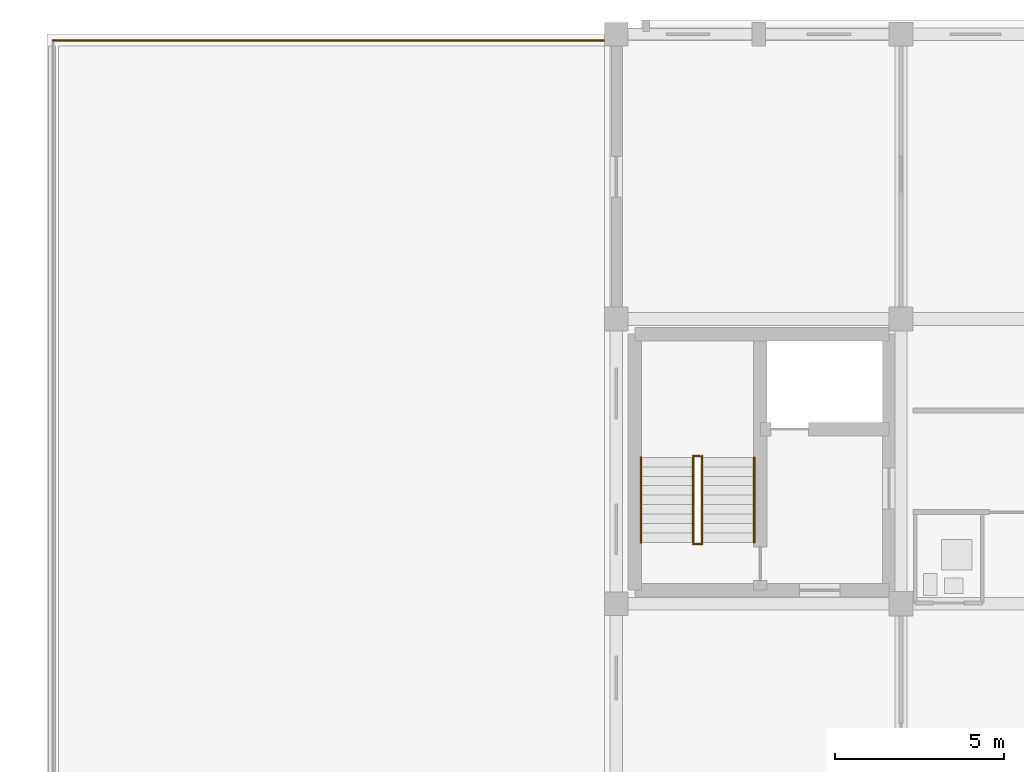
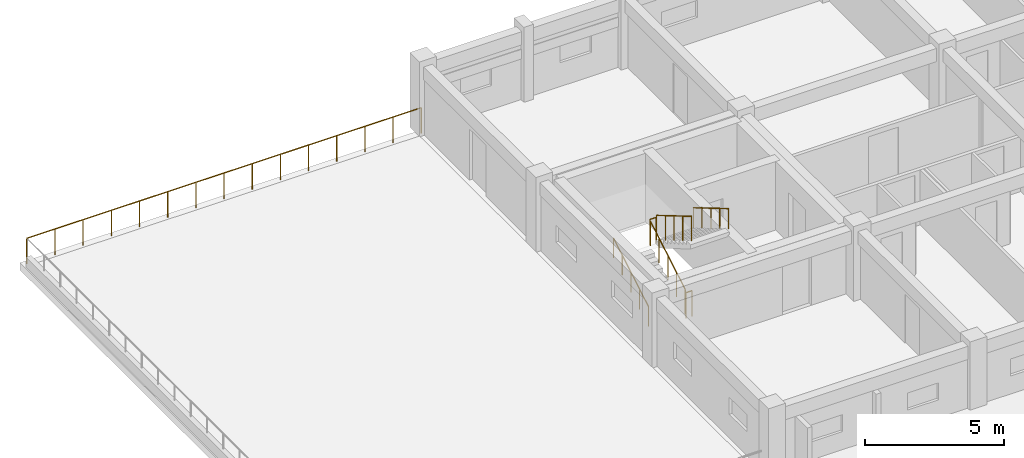
# One storey, part 143 of 148: 7 railings.
"""IFC4 building model written with IfcOpenShell, lengths in metres."""

from ifc_helpers import new_model, si_unit, direction, frame, origin, origin_2d, place, context, subcontext, project, spatial, circle, extrude, material, type_object, element, save


model = new_model("IFC4")

# Units and contexts
model_context = context("Model", 3, precision=1e-05, world=origin(), true_north=direction((0.0, 1.0)))
body_context = subcontext(model_context, "Body", "Model", "MODEL_VIEW")
ifc_project = project(units=[si_unit("LENGTHUNIT", "METRE"), si_unit("AREAUNIT", "SQUARE_METRE"), si_unit("VOLUMEUNIT", "CUBIC_METRE"), si_unit("PLANEANGLEUNIT", "RADIAN"), si_unit("MASSUNIT", "GRAM", prefix="KILO")], contexts=[model_context])

# Site, building, storey
site_placement = place(None, origin())
site = spatial("IfcSite", under=ifc_project, at=site_placement, CompositionType="ELEMENT")
building_placement = place(site_placement, origin())
building = spatial("IfcBuilding", under=site, at=building_placement, Name="Trelvath General Hospital", CompositionType="ELEMENT")
storey_placement = place(building_placement, frame((0.0, 0.0, 12.89990234375)))
storey = spatial("IfcBuildingStorey", under=building, at=storey_placement, Name="L03", CompositionType="ELEMENT", Elevation=12.89990234375)

# Railings
ifc_material_1 = material(Name="Architectural painted steel", Category="steel")
railing_type_1 = type_object("IfcRailingType", Name="Guardrail Terrace1150", PredefinedType="GUARDRAIL", material=ifc_material_1)
railing_1_placement = place(storey_placement, frame((0.179931640625, 117.419921875, 0.0)))
element("IfcRailing", 1, at=railing_1_placement, inside=storey, type_object=railing_type_1, Name="Planted Terrace Guardrail TERR-OR-NW3 N 6", PredefinedType="GUARDRAIL", context=body_context, shape_type="SweptSolid", body=[
    extrude(circle(Radius=0.02392578125, at=origin_2d()), frame((0.0, 0.0, 1.1259765625), z_axis=(1.0, 0.0, 0.0), x_axis=(0.0, 1.0, 0.0)), (0.0, 0.0, 1.0), 16.440185546875),
    extrude(circle(Radius=0.02099609375, at=origin_2d()), origin(), (0.0, 0.0, 1.0), 1.099853515625),
    extrude(circle(Radius=0.02099609375, at=origin_2d()), frame((1.17431640625, 0.0, 0.0)), (0.0, 0.0, 1.0), 1.099853515625),
    extrude(circle(Radius=0.02099609375, at=origin_2d()), frame((2.3486328125, 0.0, 0.0)), (0.0, 0.0, 1.0), 1.099853515625),
    extrude(circle(Radius=0.02099609375, at=origin_2d()), frame((3.52294921875, 0.0, 0.0)), (0.0, 0.0, 1.0), 1.099853515625),
    extrude(circle(Radius=0.02099609375, at=origin_2d()), frame((4.697265625, 0.0, 0.0)), (0.0, 0.0, 1.0), 1.099853515625),
    extrude(circle(Radius=0.02099609375, at=origin_2d()), frame((5.87158203125, 0.0, 0.0)), (0.0, 0.0, 1.0), 1.099853515625),
    extrude(circle(Radius=0.02099609375, at=origin_2d()), frame((7.0458984375, 0.0, 0.0)), (0.0, 0.0, 1.0), 1.099853515625),
    extrude(circle(Radius=0.02099609375, at=origin_2d()), frame((8.22021484375, 0.0, 0.0)), (0.0, 0.0, 1.0), 1.099853515625),
    extrude(circle(Radius=0.02099609375, at=origin_2d()), frame((9.394287109375, 0.0, 0.0)), (0.0, 0.0, 1.0), 1.099853515625),
    extrude(circle(Radius=0.02099609375, at=origin_2d()), frame((10.568603515625, 0.0, 0.0)), (0.0, 0.0, 1.0), 1.099853515625),
    extrude(circle(Radius=0.02099609375, at=origin_2d()), frame((11.742919921875, 0.0, 0.0)), (0.0, 0.0, 1.0), 1.099853515625),
    extrude(circle(Radius=0.02099609375, at=origin_2d()), frame((12.917236328125, 0.0, 0.0)), (0.0, 0.0, 1.0), 1.099853515625),
    extrude(circle(Radius=0.02099609375, at=origin_2d()), frame((14.091552734375, 0.0, 0.0)), (0.0, 0.0, 1.0), 1.099853515625),
    extrude(circle(Radius=0.02099609375, at=origin_2d()), frame((15.265869140625, 0.0, 0.0)), (0.0, 0.0, 1.0), 1.099853515625),
    extrude(circle(Radius=0.02099609375, at=origin_2d()), frame((16.440185546875, 0.0, 0.0)), (0.0, 0.0, 1.0), 1.099853515625),
])
railing_2_placement = place(storey_placement, frame((19.070068359375, 102.56005859375, 0.0)))
element("IfcRailing", 2, at=railing_2_placement, inside=storey, type_object=railing_type_1, Name="Stair Well Edge Guard C3 L03 114", PredefinedType="GUARDRAIL", context=body_context, shape_type="SweptSolid", body=[
    extrude(circle(Radius=0.02392578125, at=origin_2d()), frame((0.0, 0.0, 1.1259765625), z_axis=(1.0, 0.0, 0.0), x_axis=(0.0, 1.0, 0.0)), (0.0, 0.0, 1.0), 0.260009765625),
    extrude(circle(Radius=0.02099609375, at=origin_2d()), origin(), (0.0, 0.0, 1.0), 1.099853515625),
    extrude(circle(Radius=0.02099609375, at=origin_2d()), frame((0.260009765625, 0.0, 0.0)), (0.0, 0.0, 1.0), 1.099853515625),
])
railing_3_placement = place(storey_placement, frame((19.330078125, 105.1201171875, 1.815185546875)))
element("IfcRailing", 3, at=railing_3_placement, inside=storey, type_object=railing_type_1, Name="Stair Rail ST3 L03 F2 L 116", PredefinedType="GUARDRAIL", context=body_context, shape_type="SweptSolid", body=[
    extrude(circle(Radius=0.02392578125, at=origin_2d()), frame((0.0, 0.0, 1.076171875), z_axis=(0.0, -0.861560626758, 0.507654692109), x_axis=(1.0, 0.0, 0.0)), (0.0, 0.0, 1.0), 2.925048828125),
    extrude(circle(Radius=0.02099609375, at=origin_2d()), origin(), (0.0, 0.0, 1.0), 1.050048828125),
    extrude(circle(Radius=0.02099609375, at=origin_2d()), frame((0.0, -0.6298828125, 0.37109375)), (0.0, 0.0, 1.0), 1.050048828125),
    extrude(circle(Radius=0.02099609375, at=origin_2d()), frame((0.0, -1.260009765625, 0.742431640625)), (0.0, 0.0, 1.0), 1.050048828125),
    extrude(circle(Radius=0.02099609375, at=origin_2d()), frame((0.0, -1.89013671875, 1.11376953125)), (0.0, 0.0, 1.0), 1.050048828125),
    extrude(circle(Radius=0.02099609375, at=origin_2d()), frame((0.0, -2.52001953125, 1.48486328125)), (0.0, 0.0, 1.0), 1.050048828125),
])
railing_4_placement = place(storey_placement, frame((19.070068359375, 102.60009765625, 0.1650390625)))
element("IfcRailing", 4, at=railing_4_placement, inside=storey, type_object=railing_type_1, Name="Stair Rail ST3 L03 F1 R 117", PredefinedType="GUARDRAIL", context=body_context, shape_type="SweptSolid", body=[
    extrude(circle(Radius=0.02392578125, at=origin_2d()), frame((0.0, 0.0, 1.076171875), z_axis=(0.0, 0.86152411907, 0.507716645641), x_axis=(-1.0, 0.0, 0.0)), (0.0, 0.0, 1.0), 2.925048828125),
    extrude(circle(Radius=0.02099609375, at=origin_2d()), origin(), (0.0, 0.0, 1.0), 1.050048828125),
    extrude(circle(Radius=0.02099609375, at=origin_2d()), frame((0.0, 0.6298828125, 0.371337890625)), (0.0, 0.0, 1.0), 1.050048828125),
    extrude(circle(Radius=0.02099609375, at=origin_2d()), frame((0.0, 1.260009765625, 0.74267578125)), (0.0, 0.0, 1.0), 1.050048828125),
    extrude(circle(Radius=0.02099609375, at=origin_2d()), frame((0.0, 1.89013671875, 1.11376953125)), (0.0, 0.0, 1.0), 1.050048828125),
    extrude(circle(Radius=0.02099609375, at=origin_2d()), frame((0.0, 2.52001953125, 1.485107421875)), (0.0, 0.0, 1.0), 1.050048828125),
])
railing_5_placement = place(storey_placement, frame((19.070068359375, 105.159912109375, 1.650146484375)))
element("IfcRailing", 5, at=railing_5_placement, inside=storey, type_object=railing_type_1, Name="Half-Landing Well Guard ST3 L03 119", PredefinedType="GUARDRAIL", context=body_context, shape_type="SweptSolid", body=[
    extrude(circle(Radius=0.02392578125, at=origin_2d()), frame((0.0, 0.0, 1.1259765625), z_axis=(1.0, 0.0, 0.0), x_axis=(0.0, 1.0, 0.0)), (0.0, 0.0, 1.0), 0.260009765625),
    extrude(circle(Radius=0.02099609375, at=origin_2d()), origin(), (0.0, 0.0, 1.0), 1.099853515625),
    extrude(circle(Radius=0.02099609375, at=origin_2d()), frame((0.260009765625, 0.0, 0.0)), (0.0, 0.0, 1.0), 1.099853515625),
])
ifc_material_2 = material(Name="Brushed stainless steel", Category="steel")
railing_type_2 = type_object("IfcRailingType", Name="Handrail Stair900", PredefinedType="HANDRAIL", material=ifc_material_2)
railing_6_placement = place(storey_placement, frame((17.530029296875, 102.60009765625, 0.1650390625)))
element("IfcRailing", 6, at=railing_6_placement, inside=storey, type_object=railing_type_2, Name="Stair Rail ST3 L03 F1 L 115", PredefinedType="HANDRAIL", context=body_context, shape_type="SweptSolid", body=[
    extrude(circle(Radius=0.02392578125, at=origin_2d()), frame((0.0, 0.0, 0.8759765625), z_axis=(0.0, 0.86152411907, 0.507716645641), x_axis=(-1.0, 0.0, 0.0)), (0.0, 0.0, 1.0), 2.925048828125),
    extrude(circle(Radius=0.02099609375, at=origin_2d()), origin(), (0.0, 0.0, 1.0), 0.849853515625),
    extrude(circle(Radius=0.02099609375, at=origin_2d()), frame((0.0, 0.6298828125, 0.371337890625)), (0.0, 0.0, 1.0), 0.849853515625),
    extrude(circle(Radius=0.02099609375, at=origin_2d()), frame((0.0, 1.260009765625, 0.74267578125)), (0.0, 0.0, 1.0), 0.849853515625),
    extrude(circle(Radius=0.02099609375, at=origin_2d()), frame((0.0, 1.89013671875, 1.11376953125)), (0.0, 0.0, 1.0), 0.849853515625),
    extrude(circle(Radius=0.02099609375, at=origin_2d()), frame((0.0, 2.52001953125, 1.485107421875)), (0.0, 0.0, 1.0), 0.849853515625),
])
railing_7_placement = place(storey_placement, frame((20.8701171875, 105.1201171875, 1.815185546875)))
element("IfcRailing", 7, at=railing_7_placement, inside=storey, type_object=railing_type_2, Name="Stair Rail ST3 L03 F2 R 118", PredefinedType="HANDRAIL", context=body_context, shape_type="SweptSolid", body=[
    extrude(circle(Radius=0.02392578125, at=origin_2d()), frame((0.0, 0.0, 0.8759765625), z_axis=(0.0, -0.861560626758, 0.507654692109), x_axis=(1.0, 0.0, 0.0)), (0.0, 0.0, 1.0), 2.925048828125),
    extrude(circle(Radius=0.02099609375, at=origin_2d()), origin(), (0.0, 0.0, 1.0), 0.849853515625),
    extrude(circle(Radius=0.02099609375, at=origin_2d()), frame((0.0, -0.6298828125, 0.37109375)), (0.0, 0.0, 1.0), 0.849853515625),
    extrude(circle(Radius=0.02099609375, at=origin_2d()), frame((0.0, -1.260009765625, 0.742431640625)), (0.0, 0.0, 1.0), 0.849853515625),
    extrude(circle(Radius=0.02099609375, at=origin_2d()), frame((0.0, -1.89013671875, 1.11376953125)), (0.0, 0.0, 1.0), 0.849853515625),
    extrude(circle(Radius=0.02099609375, at=origin_2d()), frame((0.0, -2.52001953125, 1.48486328125)), (0.0, 0.0, 1.0), 0.849853515625),
])

save(model, "model.ifc")
